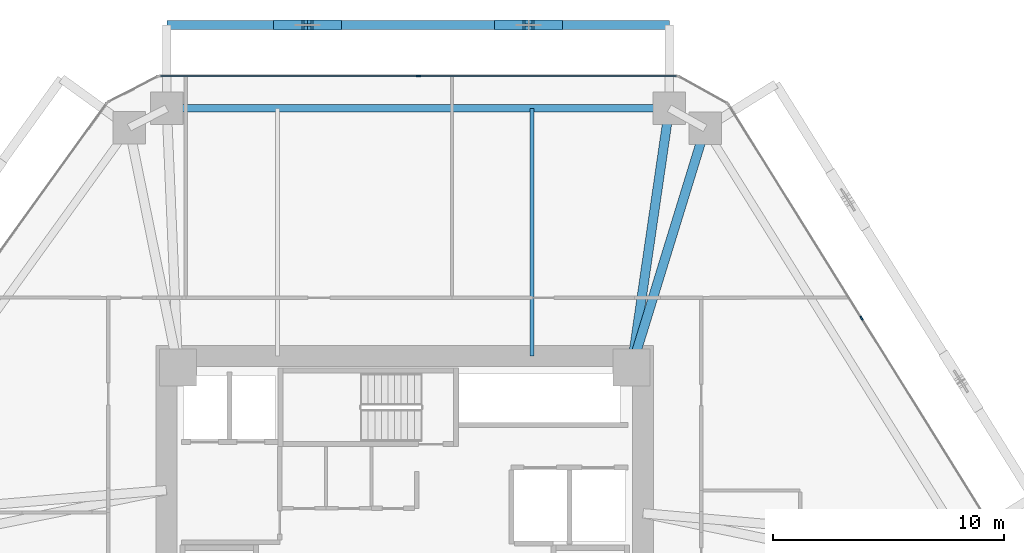
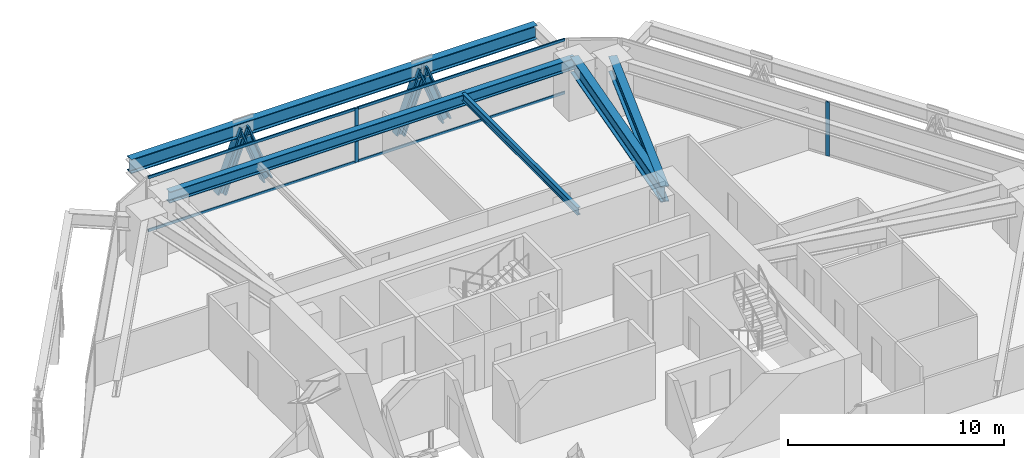
# One storey, part 8 of 17: 10 members, 5 beams, 2 elements without a shape of their own.
"""IFC4 building model written with IfcOpenShell, lengths in metres."""

from ifc_helpers import new_model, si_unit, direction, frame, origin, origin_2d, place, context, subcontext, project, spatial, rectangle, i_section, extrude, source, transform, mapped, material, layer, layer_set, material_profile, profile_set, type_object, type_shapes, element, aggregate, save


model = new_model("IFC4")

# Units and contexts
model_context = context("Model", 3, precision=1e-05, world=origin(), true_north=direction((0.0, 1.0)))
body_context = subcontext(model_context, "Body", "Model", "MODEL_VIEW")
ifc_project = project(units=[si_unit("LENGTHUNIT", "METRE"), si_unit("AREAUNIT", "SQUARE_METRE"), si_unit("VOLUMEUNIT", "CUBIC_METRE"), si_unit("PLANEANGLEUNIT", "RADIAN"), si_unit("MASSUNIT", "GRAM", prefix="KILO")], contexts=[model_context])

# Site, building, storey
site_placement = place(None, origin())
site = spatial("IfcSite", under=ifc_project, at=site_placement, CompositionType="ELEMENT")
building_placement = place(site_placement, origin())
building = spatial("IfcBuilding", under=site, at=building_placement, Name="Durnholm Broadcast Tower", CompositionType="ELEMENT")
storey_placement = place(building_placement, frame((0.0, 0.0, 52.199951171875)))
storey = spatial("IfcBuildingStorey", under=building, at=storey_placement, Name="L12", CompositionType="ELEMENT", Elevation=52.199951171875)

# Beams
ifc_material_1 = material(Name="Steel ASTM A992 Grade 50", Category="steel")
ifc_material_profile_1 = material_profile(ifc_material_1, i_section(OverallWidth=0.3291015625, OverallDepth=0.635009765625, WebThickness=0.017822265625, FlangeThickness=0.031005859375, FilletRadius=0.02783203125, at=origin_2d()), Name="W24X162")
ifc_profile_set_1 = profile_set([ifc_material_profile_1], Name="Steel ASTM A992 Grade 50")
beam_type_1 = type_object("IfcBeamType", Name="STL-SP-W24X162", PredefinedType="SPANDREL", material=ifc_profile_set_1)
shared_shape_1 = source(origin(), body_context, "Body", "SweptSolid", [
    extrude(i_section(OverallWidth=0.3291015625, OverallDepth=0.635009765625, WebThickness=0.017822265625, FlangeThickness=0.031005859375, FilletRadius=0.02783203125, at=origin_2d()), origin(), (0.0, 0.0, 1.0), 21.7138671875),
])
type_shapes(beam_type_1, [shared_shape_1])
beam_1_placement = place(storey_placement, frame((-10.28271484375, 19.0, 2.7275390625), z_axis=(1.0, 0.0, 0.0), x_axis=(0.0, 1.0, 0.0)))
element("IfcBeam", 1, at=beam_1_placement, inside=storey, type_object=beam_type_1, Name="L12 perimeter spandrel girder 05", PredefinedType="SPANDREL", context=body_context, shape_type="MappedRepresentation", body=[
    mapped(shared_shape_1, transform((0.0, 0.0, 0.0), x_axis=(1.0, 0.0, 0.0), y_axis=(0.0, 1.0, 0.0), z_axis=(0.0, 0.0, 1.0), scale=1.0)),
])
ifc_material_profile_2 = material_profile(ifc_material_1, i_section(OverallWidth=0.404052734375, OverallDepth=0.885009765625, WebThickness=0.0244140625, FlangeThickness=0.0439453125, FilletRadius=0.03564453125, at=origin_2d()), Name="W33X291")
ifc_profile_set_2 = profile_set([ifc_material_profile_2], Name="Steel ASTM A992 Grade 50")
beam_type_2 = type_object("IfcBeamType", Name="STL-GR-W33X291", PredefinedType="USERDEFINED", material=ifc_profile_set_2)
shared_shape_2 = source(origin(), body_context, "Body", "SweptSolid", [
    extrude(i_section(OverallWidth=0.404052734375, OverallDepth=0.885009765625, WebThickness=0.0244140625, FlangeThickness=0.0439453125, FilletRadius=0.03564453125, at=origin_2d()), origin(), (0.0, 0.0, 1.0), 11.318115234375),
])
beam_2_placement = place(storey_placement, frame((9.800048828125, 7.800048828125, 2.6025390625), z_axis=(0.144114595679, 0.989561005352, 0.0), x_axis=(-0.989561005352, 0.144114595679, 0.0)))
element("IfcBeam", 2, at=beam_2_placement, inside=storey, type_object=beam_type_2, Name="L12 radial primary floor girder 06", ObjectType="GIRDER", PredefinedType="USERDEFINED", context=body_context, shape_type="MappedRepresentation", body=[
    mapped(shared_shape_2, transform((0.0, 0.0, 0.0), x_axis=(1.0, 0.0, 0.0), y_axis=(0.0, 1.0, 0.0), z_axis=(0.0, 0.0, 1.0), scale=1.0)),
])
shared_shape_3 = source(origin(), body_context, "Body", "SweptSolid", [
    extrude(i_section(OverallWidth=0.404052734375, OverallDepth=0.885009765625, WebThickness=0.0244140625, FlangeThickness=0.0439453125, FilletRadius=0.03564453125, at=origin_2d()), origin(), (0.0, 0.0, 1.0), 10.817138671875),
])
type_shapes(beam_type_2, [shared_shape_2, shared_shape_3])
beam_3_placement = place(storey_placement, frame((9.800048828125, 7.800048828125, 2.6025390625), z_axis=(0.294219068418, 0.955738007918, 0.0), x_axis=(-0.955738007918, 0.294219068418, 0.0)))
element("IfcBeam", 3, at=beam_3_placement, inside=storey, type_object=beam_type_2, Name="L12 radial primary floor girder 07", ObjectType="GIRDER", PredefinedType="USERDEFINED", context=body_context, shape_type="MappedRepresentation", body=[
    mapped(shared_shape_3, transform((0.0, 0.0, 0.0), x_axis=(1.0, 0.0, 0.0), y_axis=(0.0, 1.0, 0.0), z_axis=(0.0, 0.0, 1.0), scale=1.0)),
])
ifc_material_profile_3 = material_profile(ifc_material_1, i_section(OverallWidth=0.180908203125, OverallDepth=0.417236328125, WebThickness=0.010986328125, FlangeThickness=0.018310546875, FilletRadius=0.01904296875, at=origin_2d()), Name="W16X57")
ifc_profile_set_3 = profile_set([ifc_material_profile_3], Name="Steel ASTM A992 Grade 50")
beam_type_3 = type_object("IfcBeamType", Name="STL-BJ-W16X57", PredefinedType="JOIST", material=ifc_profile_set_3)
shared_shape_4 = source(origin(), body_context, "Body", "SweptSolid", [
    extrude(i_section(OverallWidth=0.180908203125, OverallDepth=0.417236328125, WebThickness=0.010986328125, FlangeThickness=0.018310546875, FilletRadius=0.01904296875, at=origin_2d()), origin(), (0.0, 0.0, 1.0), 10.699951171875),
])
type_shapes(beam_type_3, [shared_shape_4])
beam_4_placement = place(storey_placement, frame((5.5, 8.300048828125, 2.83642578125), z_axis=(0.0, 1.0, 0.0), x_axis=(-1.0, 0.0, 0.0)))
element("IfcBeam", 4, at=beam_4_placement, inside=storey, type_object=beam_type_3, Name="L12 secondary floor joist 4.2", PredefinedType="JOIST", context=body_context, shape_type="MappedRepresentation", body=[
    mapped(shared_shape_4, transform((0.0, 0.0, 0.0), x_axis=(1.0, 0.0, 0.0), y_axis=(0.0, 1.0, 0.0), z_axis=(0.0, 0.0, 1.0), scale=1.0)),
])
ifc_material_profile_4 = material_profile(ifc_material_1, i_section(OverallWidth=0.385009765625, OverallDepth=0.802978515625, WebThickness=0.023681640625, FlangeThickness=0.0419921875, FilletRadius=0.032958984375, at=origin_2d()), Name="W30X261")
ifc_profile_set_4 = profile_set([ifc_material_profile_4], Name="Steel ASTM A992 Grade 50")
beam_type_4 = type_object("IfcBeamType", Name="BM-EXO-TIE", PredefinedType="USERDEFINED", material=ifc_profile_set_4)
shared_shape_5 = source(origin(), body_context, "Body", "SweptSolid", [
    extrude(i_section(OverallWidth=0.385009765625, OverallDepth=0.802978515625, WebThickness=0.023681640625, FlangeThickness=0.0419921875, FilletRadius=0.032958984375, at=origin_2d()), origin(), (0.0, 0.0, 1.0), 21.7138671875),
])
type_shapes(beam_type_4, [shared_shape_5])
beam_5_placement = place(storey_placement, frame((11.43115234375, 22.60009765625, 2.30859375), z_axis=(-1.0, 0.0, 0.0), x_axis=(0.0, -1.0, 0.0)))
element("IfcBeam", 5, at=beam_5_placement, inside=storey, type_object=beam_type_4, Name="L12 exoskeleton collector spandrel F4", PredefinedType="SPANDREL", context=body_context, shape_type="MappedRepresentation", body=[
    mapped(shared_shape_5, transform((0.0, 0.0, 0.0), x_axis=(1.0, 0.0, 0.0), y_axis=(0.0, 1.0, 0.0), z_axis=(0.0, 0.0, 1.0), scale=1.0)),
])

# Members
ifc_material_2 = material(Name="Steel ASTM A913 Grade 65", Category="steel")
ifc_material_profile_5 = material_profile(ifc_material_2, i_section(OverallWidth=0.43212890625, OverallDepth=0.497802734375, WebThickness=0.0556640625, FlangeThickness=0.0888671875, FilletRadius=0.030517578125, at=origin_2d()), Name="W14X500")
ifc_profile_set_5 = profile_set([ifc_material_profile_5], Name="Steel ASTM A913 Grade 65")
member_type_1 = type_object("IfcMemberType", Name="STL-DG-W14X500", PredefinedType="BRACE", material=ifc_profile_set_5)
shared_shape_6 = source(origin(), body_context, "Body", "SweptSolid", [
    extrude(i_section(OverallWidth=0.43212890625, OverallDepth=0.497802734375, WebThickness=0.0556640625, FlangeThickness=0.0888671875, FilletRadius=0.030517578125, at=origin_2d()), origin(), (0.0, 0.0, 1.0), 3.523193359375),
])
type_shapes(member_type_1, [shared_shape_6])
for number, where, z_axis, x_axis, name in (
    (6, (6.585205078125, 22.60009765625, -0.991455078125), (-0.350219588454, 0.0, 0.936667625075), (0.0, -1.0, 0.0), "L12 stand-off diagrid brace F4.D1.1"),
    (7, (4.117431640625, 22.60009765625, -0.991455078125), (0.350219588454, 0.0, 0.936667625075), (0.0, 1.0, 0.0), "L12 stand-off diagrid brace F4.D1.2"),
    (8, (-2.968994140625, 22.60009765625, -0.991455078125), (-0.350219588454, 0.0, 0.936667625075), (0.0, -1.0, 0.0), "L12 stand-off diagrid brace F4.D2.1"),
    (9, (-5.436767578125, 22.60009765625, -0.991455078125), (0.350219588454, 0.0, 0.936667625075), (0.0, 1.0, 0.0), "L12 stand-off diagrid brace F4.D2.2"),
):
    element("IfcMember", number, at=place(storey_placement, frame(where, z_axis=z_axis, x_axis=x_axis)), inside=storey, type_object=member_type_1, Name=name, PredefinedType="BRACE", context=body_context, shape_type="MappedRepresentation", body=[
        mapped(shared_shape_6, transform((0.0, 0.0, 0.0), x_axis=(1.0, 0.0, 0.0), y_axis=(0.0, 1.0, 0.0), z_axis=(0.0, 0.0, 1.0), scale=1.0)),
    ])

# Curtain wall, member
ifc_material_3 = material(Name="Aluminium and Solar Control IGU", Category="aluminium")
ifc_layer = layer(ifc_material_3, 0.18994140625)
ifc_layer_set = layer_set([ifc_layer], Name="Aluminium and Solar Control IGU")
curtain_wall_type = type_object("IfcCurtainWallType", Name="CW-SYS-3", PredefinedType="NOTDEFINED", material=ifc_layer_set)
curtain_wall_1_placement = place(storey_placement, origin())
curtain_wall_1 = element("IfcCurtainWall", 10, at=curtain_wall_1_placement, inside=storey, type_object=curtain_wall_type, Name="L12 curtain wall CW-Z12-VIS CW-L12-F04", PredefinedType="NOTDEFINED")
ifc_material_4 = material(Name="Aluminium 6063-T6", Category="aluminium")
ifc_material_profile_6 = material_profile(ifc_material_4, rectangle(XDim=0.070068359375, YDim=0.18994140625, at=origin_2d()), Name="CWM70X190")
ifc_profile_set_6 = profile_set([ifc_material_profile_6], Name="Aluminium 6063-T6")
member_type_2 = type_object("IfcMemberType", Name="CW-SYS-3-MUL", PredefinedType="MULLION", material=ifc_profile_set_6)
shared_shape_7 = source(origin(), body_context, "Body", "SweptSolid", [
    extrude(rectangle(XDim=0.070068359375, YDim=0.18994140625, at=origin_2d()), origin(), (0.0, 0.0, 1.0), 3.06005859375),
])
type_shapes(member_type_2, [shared_shape_7])
member_1_placement = place(storey_placement, frame((0.5869140625, 20.39990234375, 0.0), z_axis=(0.0, 0.0, 1.0), x_axis=(0.0, 1.0, 0.0)))
member_1 = element("IfcMember", 11, at=member_1_placement, type_object=member_type_2, Name="CW-Z12-VIS mullion 2", PredefinedType="MULLION", context=body_context, shape_type="MappedRepresentation", body=[
    mapped(shared_shape_7, transform((0.0, 0.0, 0.0), x_axis=(1.0, 0.0, 0.0), y_axis=(0.0, 1.0, 0.0), z_axis=(0.0, 0.0, 1.0), scale=1.0)),
])

curtain_wall_2_placement = place(storey_placement, origin())
curtain_wall_2 = element("IfcCurtainWall", 12, at=curtain_wall_2_placement, inside=storey, type_object=curtain_wall_type, Name="L12 curtain wall CW-Z12-VIS CW-L12-F06", PredefinedType="NOTDEFINED")
member_2_placement = place(storey_placement, frame((19.741943359375, 9.93212890625, 0.0), z_axis=(0.0, 0.0, 1.0), x_axis=(0.848875785503, 0.528592376777, 0.0)))
member_2 = element("IfcMember", 13, at=member_2_placement, type_object=member_type_2, Name="CW-Z12-VIS mullion 2", PredefinedType="MULLION", context=body_context, shape_type="MappedRepresentation", body=[
    mapped(shared_shape_7, transform((0.0, 0.0, 0.0), x_axis=(1.0, 0.0, 0.0), y_axis=(0.0, 1.0, 0.0), z_axis=(0.0, 0.0, 1.0), scale=1.0)),
])
aggregate(curtain_wall_2, [member_2])

# Member
ifc_material_profile_7 = material_profile(ifc_material_4, rectangle(XDim=0.070068359375, YDim=0.14990234375, at=origin_2d()), Name="CWT70X150")
ifc_profile_set_7 = profile_set([ifc_material_profile_7], Name="Aluminium 6063-T6")
member_type_3 = type_object("IfcMemberType", Name="CW-SYS-3-TRN", PredefinedType="USERDEFINED", material=ifc_profile_set_7)
shared_shape_8 = source(origin(), body_context, "Body", "SweptSolid", [
    extrude(rectangle(XDim=0.070068359375, YDim=0.14990234375, at=origin_2d()), origin(), (0.0, 0.0, 1.0), 11.10205078125),
])
type_shapes(member_type_3, [shared_shape_8])
member_3_placement = place(storey_placement, frame((-10.55029296875, 20.39990234375, 0.03515625), z_axis=(1.0, 0.0, 0.0), x_axis=(0.0, 1.0, 0.0)))
member_3 = element("IfcMember", 14, at=member_3_placement, type_object=member_type_3, Name="CW-Z12-VIS transom 1.1", ObjectType="TRANSOM", PredefinedType="USERDEFINED", context=body_context, shape_type="MappedRepresentation", body=[
    mapped(shared_shape_8, transform((0.0, 0.0, 0.0), x_axis=(1.0, 0.0, 0.0), y_axis=(0.0, 1.0, 0.0), z_axis=(0.0, 0.0, 1.0), scale=1.0)),
])

member_4_placement = place(storey_placement, frame((-10.55029296875, 20.39990234375, 3.025146484375), z_axis=(1.0, 0.0, 0.0), x_axis=(0.0, 1.0, 0.0)))
member_4 = element("IfcMember", 15, at=member_4_placement, type_object=member_type_3, Name="CW-Z12-VIS transom 1.2", ObjectType="TRANSOM", PredefinedType="USERDEFINED", context=body_context, shape_type="MappedRepresentation", body=[
    mapped(shared_shape_8, transform((0.0, 0.0, 0.0), x_axis=(1.0, 0.0, 0.0), y_axis=(0.0, 1.0, 0.0), z_axis=(0.0, 0.0, 1.0), scale=1.0)),
])

member_5_placement = place(storey_placement, frame((0.621826171875, 20.39990234375, 0.03515625), z_axis=(1.0, 0.0, 0.0), x_axis=(0.0, 1.0, 0.0)))
member_5 = element("IfcMember", 16, at=member_5_placement, type_object=member_type_3, Name="CW-Z12-VIS transom 2.1", ObjectType="TRANSOM", PredefinedType="USERDEFINED", context=body_context, shape_type="MappedRepresentation", body=[
    mapped(shared_shape_8, transform((0.0, 0.0, 0.0), x_axis=(1.0, 0.0, 0.0), y_axis=(0.0, 1.0, 0.0), z_axis=(0.0, 0.0, 1.0), scale=1.0)),
])

member_6_placement = place(storey_placement, frame((0.621826171875, 20.39990234375, 3.025146484375), z_axis=(1.0, 0.0, 0.0), x_axis=(0.0, 1.0, 0.0)))
member_6 = element("IfcMember", 17, at=member_6_placement, type_object=member_type_3, Name="CW-Z12-VIS transom 2.2", ObjectType="TRANSOM", PredefinedType="USERDEFINED", context=body_context, shape_type="MappedRepresentation", body=[
    mapped(shared_shape_8, transform((0.0, 0.0, 0.0), x_axis=(1.0, 0.0, 0.0), y_axis=(0.0, 1.0, 0.0), z_axis=(0.0, 0.0, 1.0), scale=1.0)),
])

aggregate(curtain_wall_1, [member_1, member_3, member_4, member_5, member_6])

save(model, "model.ifc")
